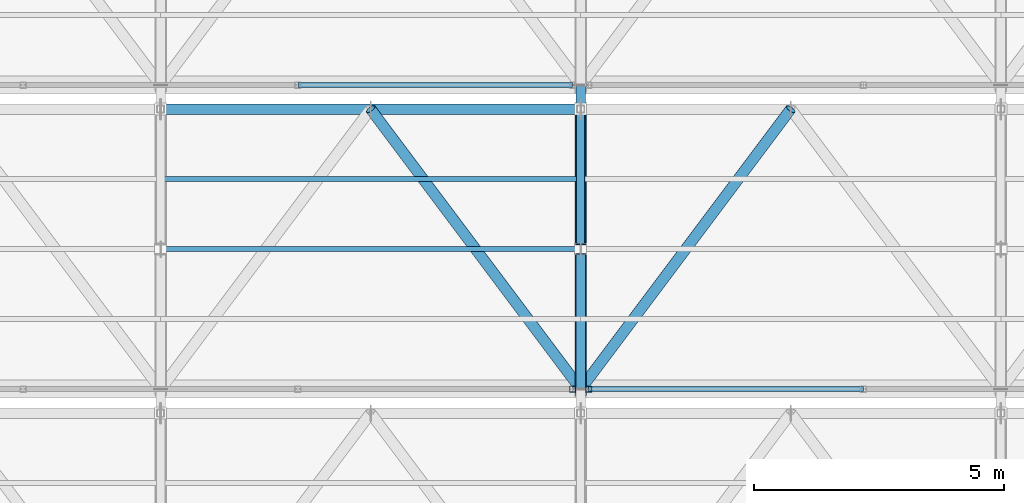
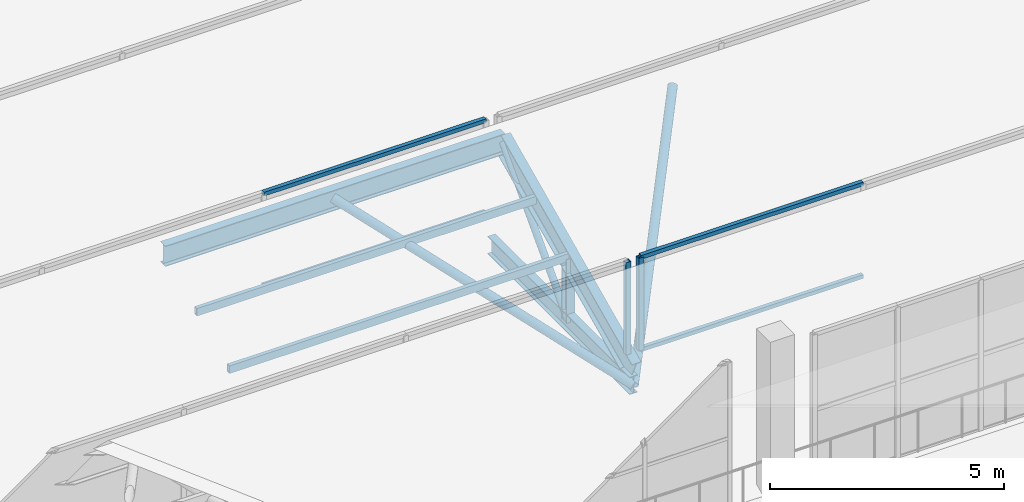
# One storey, part 94 of 217: 15 members, 3 elements without a shape of their own.
"""IFC4 building model written with IfcOpenShell, lengths in metres."""

from ifc_helpers import new_model, si_unit, direction, frame, origin, origin_2d, place, context, subcontext, project, spatial, hollow_rectangle, hollow_circle, i_section, extrude, material, material_profile, profile_set, type_object, element, aggregate, save


model = new_model("IFC4")

# Units and contexts
model_context = context("Model", 3, precision=1e-05, world=origin(), true_north=direction((0.0, 1.0)))
body_context = subcontext(model_context, "Body", "Model", "MODEL_VIEW")
ifc_project = project(units=[si_unit("LENGTHUNIT", "METRE"), si_unit("AREAUNIT", "SQUARE_METRE"), si_unit("VOLUMEUNIT", "CUBIC_METRE"), si_unit("PLANEANGLEUNIT", "RADIAN"), si_unit("MASSUNIT", "GRAM", prefix="KILO")], contexts=[model_context])

# Site, building, storey
site_placement = place(None, origin())
site = spatial("IfcSite", under=ifc_project, at=site_placement, CompositionType="ELEMENT")
building_placement = place(site_placement, origin())
building = spatial("IfcBuilding", under=site, at=building_placement, Name="Zuvorla Pavilion Media Centre", CompositionType="ELEMENT")
storey_placement = place(building_placement, frame((0.0, 0.0, 9.60009765625)))
storey = spatial("IfcBuildingStorey", under=building, at=storey_placement, Name="L02", CompositionType="ELEMENT", Elevation=9.60009765625)

# Curtain wall, member
ifc_material_1 = material(Name="Unitised anodised aluminium and solar glass curtain wall", Category="aluminium")
curtain_wall_type = type_object("IfcCurtainWallType", Name="CW-SYS-88", PredefinedType="USERDEFINED", material=ifc_material_1)
curtain_wall_1_placement = place(storey_placement, origin())
curtain_wall_1 = element("IfcCurtainWall", 1, at=curtain_wall_1_placement, inside=storey, type_object=curtain_wall_type, Name="L02 curtain wall CW88 202", ObjectType="CURTAIN WALL", PredefinedType="USERDEFINED")
ifc_material_2 = material(Name="Anodised aluminium 6063-T6", Category="aluminium")
ifc_material_profile_1 = material_profile(ifc_material_2, hollow_rectangle(XDim=0.1201171875, YDim=0.1201171875, WallThickness=0.0048828125, at=origin_2d()), Name="ALU MULL 120x120")
ifc_profile_set_1 = profile_set([ifc_material_profile_1], Name="Anodised aluminium 6063-T6")
member_type_1 = type_object("IfcMemberType", Name="CW-MULL-120", PredefinedType="MULLION", material=ifc_profile_set_1)
member_1_placement = place(storey_placement, frame((117.0400390625, 95.679931640625, 0.0), z_axis=(0.0, 0.0, 1.0), x_axis=(1.0, 0.0, 0.0)))
member_1 = element("IfcMember", 2, at=member_1_placement, type_object=member_type_1, Name="CW88 mullion 4", PredefinedType="MULLION", context=body_context, shape_type="SweptSolid", body=[
    extrude(hollow_rectangle(XDim=0.1201171875, YDim=0.1201171875, WallThickness=0.0048828125, at=origin_2d()), origin(), (0.0, 0.0, 1.0), 2.419921875),
])
aggregate(curtain_wall_1, [member_1])

# Curtain wall, members
curtain_wall_2_placement = place(storey_placement, origin())
curtain_wall_2 = element("IfcCurtainWall", 3, at=curtain_wall_2_placement, inside=storey, type_object=curtain_wall_type, Name="L02 curtain wall CW88 203", ObjectType="CURTAIN WALL", PredefinedType="USERDEFINED")
member_2_placement = place(storey_placement, frame((117.360107421875, 95.679931640625, 0.0), z_axis=(0.0, 0.0, 1.0), x_axis=(1.0, 0.0, 0.0)))
member_2 = element("IfcMember", 4, at=member_2_placement, type_object=member_type_1, Name="CW88 mullion 1", PredefinedType="MULLION", context=body_context, shape_type="SweptSolid", body=[
    extrude(hollow_rectangle(XDim=0.1201171875, YDim=0.1201171875, WallThickness=0.0048828125, at=origin_2d()), origin(), (0.0, 0.0, 1.0), 2.419921875),
])
ifc_material_profile_2 = material_profile(ifc_material_2, hollow_rectangle(XDim=0.10009765625, YDim=0.10009765625, WallThickness=0.00439453125, at=origin_2d()), Name="ALU TRAN 100x100")
ifc_profile_set_2 = profile_set([ifc_material_profile_2], Name="Anodised aluminium 6063-T6")
member_type_2 = type_object("IfcMemberType", Name="CW-TRAN-100", PredefinedType="USERDEFINED", material=ifc_profile_set_2)
member_3_placement = place(storey_placement, frame((117.360107421875, 95.679931640625, 0.0), z_axis=(1.0, 0.0, 0.0), x_axis=(0.0, 1.0, 0.0)))
member_3 = element("IfcMember", 5, at=member_3_placement, type_object=member_type_2, Name="CW88 transom 1.1", ObjectType="TRANSOM", PredefinedType="USERDEFINED", context=body_context, shape_type="SweptSolid", body=[
    extrude(hollow_rectangle(XDim=0.10009765625, YDim=0.10009765625, WallThickness=0.00439453125, at=origin_2d()), origin(), (0.0, 0.0, 1.0), 5.4931640625),
])
member_4_placement = place(storey_placement, frame((117.360107421875, 95.679931640625, 2.419921875), z_axis=(1.0, 0.0, 0.0), x_axis=(0.0, 1.0, 0.0)))
member_4 = element("IfcMember", 6, at=member_4_placement, type_object=member_type_2, Name="CW88 transom 1.2", ObjectType="TRANSOM", PredefinedType="USERDEFINED", context=body_context, shape_type="SweptSolid", body=[
    extrude(hollow_rectangle(XDim=0.10009765625, YDim=0.10009765625, WallThickness=0.00439453125, at=origin_2d()), origin(), (0.0, 0.0, 1.0), 5.4931640625),
])
aggregate(curtain_wall_2, [member_2, member_3, member_4])

curtain_wall_3_placement = place(storey_placement, origin())
curtain_wall_3 = element("IfcCurtainWall", 7, at=curtain_wall_3_placement, inside=storey, type_object=curtain_wall_type, Name="L02 curtain wall CW88 206", ObjectType="CURTAIN WALL", PredefinedType="USERDEFINED")
member_5_placement = place(storey_placement, frame((111.546630859375, 101.760009765625, 0.0), z_axis=(1.0, 0.0, 0.0), x_axis=(0.0, 1.0, 0.0)))
member_5 = element("IfcMember", 8, at=member_5_placement, type_object=member_type_2, Name="CW88 transom 3.1", ObjectType="TRANSOM", PredefinedType="USERDEFINED", context=body_context, shape_type="SweptSolid", body=[
    extrude(hollow_rectangle(XDim=0.10009765625, YDim=0.10009765625, WallThickness=0.00439453125, at=origin_2d()), origin(), (0.0, 0.0, 1.0), 5.493408203125),
])
member_6_placement = place(storey_placement, frame((111.546630859375, 101.760009765625, 2.419921875), z_axis=(1.0, 0.0, 0.0), x_axis=(0.0, 1.0, 0.0)))
member_6 = element("IfcMember", 9, at=member_6_placement, type_object=member_type_2, Name="CW88 transom 3.2", ObjectType="TRANSOM", PredefinedType="USERDEFINED", context=body_context, shape_type="SweptSolid", body=[
    extrude(hollow_rectangle(XDim=0.10009765625, YDim=0.10009765625, WallThickness=0.00439453125, at=origin_2d()), origin(), (0.0, 0.0, 1.0), 5.493408203125),
])
aggregate(curtain_wall_3, [member_5, member_6])

# Members
ifc_material_3 = material(Name="Steel S355", Category="steel")
ifc_material_profile_3 = material_profile(ifc_material_3, hollow_circle(Radius=0.084228515625, WallThickness=0.008056640625, at=origin_2d()), Name="CHS 168.3x8")
ifc_profile_set_3 = profile_set([ifc_material_profile_3], Name="Steel S355")
member_type_3 = type_object("IfcMemberType", Name="MEM-BRC-CHS168", PredefinedType="BRACE", material=ifc_profile_set_3)
member_7_placement = place(storey_placement, frame((117.199951171875, 98.47998046875, -0.880126953125), z_axis=(0.0, 0.68676242614, 0.726881950555), x_axis=(-1.0, 0.0, 0.0)))
element("IfcMember", 10, at=member_7_placement, inside=storey, type_object=member_type_3, Name="L02 diagonal brace TB03 159", PredefinedType="BRACE", context=body_context, shape_type="SweptSolid", body=[
    extrude(hollow_circle(Radius=0.084228515625, WallThickness=0.008056640625, at=origin_2d()), origin(), (0.0, 0.0, 1.0), 4.0771484375),
])
ifc_material_profile_4 = material_profile(ifc_material_3, hollow_circle(Radius=0.109619140625, WallThickness=0.010009765625, at=origin_2d()), Name="CHS 219.1x10")
ifc_profile_set_4 = profile_set([ifc_material_profile_4], Name="Steel S355")
member_type_4 = type_object("IfcMemberType", Name="MEM-BRC-CHS219", PredefinedType="BRACE", material=ifc_profile_set_4)
for number, where, z_axis, x_axis, name in (
    (11, (113.0, 101.280029296875, 2.08349609375), (0.552511596944, -0.736703540702, -0.389870271191), (0.800008370399, 0.599988839305, 0.0), "L02 diagonal brace TB02 203"),
    (12, (117.199951171875, 95.679931640625, -0.880126953125), (0.552511596944, 0.736703540702, 0.389870271191), (-0.800008370399, 0.599988839305, 0.0), "L02 diagonal brace TB02 208"),
):
    element("IfcMember", number, at=place(storey_placement, frame(where, z_axis=z_axis, x_axis=x_axis)), inside=storey, type_object=member_type_4, Name=name, PredefinedType="BRACE", context=body_context, shape_type="SweptSolid", body=[
        extrude(hollow_circle(Radius=0.109619140625, WallThickness=0.010009765625, at=origin_2d()), origin(), (0.0, 0.0, 1.0), 7.6015625),
    ])
ifc_material_profile_5 = material_profile(ifc_material_3, i_section(OverallWidth=0.19140625, OverallDepth=0.4599609375, WebThickness=0.010009765625, FlangeThickness=0.01611328125, FilletRadius=0.01025390625, at=origin_2d()), Name="UB 457x191x82")
ifc_profile_set_5 = profile_set([ifc_material_profile_5], Name="Steel S355")
member_type_5 = type_object("IfcMemberType", Name="MEM-CHD-UB457", PredefinedType="CHORD", material=ifc_profile_set_5)
member_8_placement = place(storey_placement, frame((117.199951171875, 95.679931640625, -0.880126953125), z_axis=(0.0, 1.0, 0.0), x_axis=(-1.0, 0.0, 0.0)))
element("IfcMember", 13, at=member_8_placement, inside=storey, type_object=member_type_5, Name="L02 chord TC03 156", PredefinedType="CHORD", context=body_context, shape_type="SweptSolid", body=[
    extrude(i_section(OverallWidth=0.19140625, OverallDepth=0.4599609375, WebThickness=0.010009765625, FlangeThickness=0.01611328125, FilletRadius=0.01025390625, at=origin_2d()), origin(), (0.0, 0.0, 1.0), 6.080078125),
])
ifc_material_profile_6 = material_profile(ifc_material_3, i_section(OverallWidth=0.2099609375, OverallDepth=0.53662109375, WebThickness=0.0107421875, FlangeThickness=0.017333984375, FilletRadius=0.0126953125, at=origin_2d()), Name="UB 533x210x101")
ifc_profile_set_6 = profile_set([ifc_material_profile_6], Name="Steel S355")
member_type_6 = type_object("IfcMemberType", Name="MEM-CHD-UB533", PredefinedType="CHORD", material=ifc_profile_set_6)
member_9_placement = place(storey_placement, frame((108.800048828125, 101.280029296875, 2.08349609375), z_axis=(1.0, 0.0, 0.0), x_axis=(0.0, 1.0, 0.0)))
element("IfcMember", 14, at=member_9_placement, inside=storey, type_object=member_type_6, Name="L02 chord TC02 201", PredefinedType="CHORD", context=body_context, shape_type="SweptSolid", body=[
    extrude(i_section(OverallWidth=0.2099609375, OverallDepth=0.53662109375, WebThickness=0.0107421875, FlangeThickness=0.017333984375, FilletRadius=0.0126953125, at=origin_2d()), origin(), (0.0, 0.0, 1.0), 8.39990234375),
])
ifc_material_profile_7 = material_profile(ifc_material_3, i_section(OverallWidth=0.22900390625, OverallDepth=0.6123046875, WebThickness=0.011962890625, FlangeThickness=0.01953125, FilletRadius=0.0126953125, at=origin_2d()), Name="UB 610x229x125")
ifc_profile_set_7 = profile_set([ifc_material_profile_7], Name="Steel S355")
member_type_7 = type_object("IfcMemberType", Name="MEM-CHD-UB610", PredefinedType="CHORD", material=ifc_profile_set_7)
member_10_placement = place(storey_placement, frame((117.199951171875, 95.679931640625, -0.5166015625), z_axis=(0.0, 0.907005731366, 0.421118277053), x_axis=(-1.0, 0.0, 0.0)))
element("IfcMember", 15, at=member_10_placement, inside=storey, type_object=member_type_7, Name="L02 chord TC01 157", PredefinedType="CHORD", context=body_context, shape_type="SweptSolid", body=[
    extrude(i_section(OverallWidth=0.22900390625, OverallDepth=0.6123046875, WebThickness=0.011962890625, FlangeThickness=0.01953125, FilletRadius=0.0126953125, at=origin_2d()), origin(), (0.0, 0.0, 1.0), 6.17431640625),
])
ifc_material_profile_8 = material_profile(ifc_material_3, hollow_rectangle(XDim=0.10009765625, YDim=0.199951171875, WallThickness=0.008056640625, at=origin_2d()), Name="RHS 200x100x8")
ifc_profile_set_8 = profile_set([ifc_material_profile_8], Name="Steel S355")
member_type_8 = type_object("IfcMemberType", Name="MEM-PUR-RHS200", PredefinedType="PURLIN", material=ifc_profile_set_8)
for number, where, z_axis, x_axis, name in (
    (16, (108.800048828125, 98.47998046875, 0.783447265625), (1.0, 0.0, 0.0), (0.0, 1.0, 0.0), "L02 purlin PR01 205"),
    (17, (108.800048828125, 99.8798828125, 1.43359375), (1.0, 0.0, 0.0), (0.0, 1.0, 0.0), "L02 purlin PR01 206"),
):
    element("IfcMember", number, at=place(storey_placement, frame(where, z_axis=z_axis, x_axis=x_axis)), inside=storey, type_object=member_type_8, Name=name, PredefinedType="PURLIN", context=body_context, shape_type="SweptSolid", body=[
        extrude(hollow_rectangle(XDim=0.10009765625, YDim=0.199951171875, WallThickness=0.008056640625, at=origin_2d()), origin(), (0.0, 0.0, 1.0), 8.39990234375),
    ])
ifc_material_profile_9 = material_profile(ifc_material_3, i_section(OverallWidth=0.205810546875, OverallDepth=0.209716796875, WebThickness=0.009521484375, FlangeThickness=0.01416015625, FilletRadius=0.01025390625, at=origin_2d()), Name="UC 203x203x60")
ifc_profile_set_9 = profile_set([ifc_material_profile_9], Name="Steel S355")
member_type_9 = type_object("IfcMemberType", Name="MEM-STR-UC203", PredefinedType="STRUT", material=ifc_profile_set_9)
member_11_placement = place(storey_placement, frame((117.199951171875, 98.47998046875, -0.880126953125), z_axis=(0.0, 0.0, 1.0), x_axis=(1.0, 0.0, 0.0)))
element("IfcMember", 18, at=member_11_placement, inside=storey, type_object=member_type_9, Name="L02 vertical strut TS02 160", PredefinedType="STRUT", context=body_context, shape_type="SweptSolid", body=[
    extrude(i_section(OverallWidth=0.205810546875, OverallDepth=0.209716796875, WebThickness=0.009521484375, FlangeThickness=0.01416015625, FilletRadius=0.01025390625, at=origin_2d()), origin(), (0.0, 0.0, 1.0), 1.66357421875),
])

save(model, "model.ifc")
